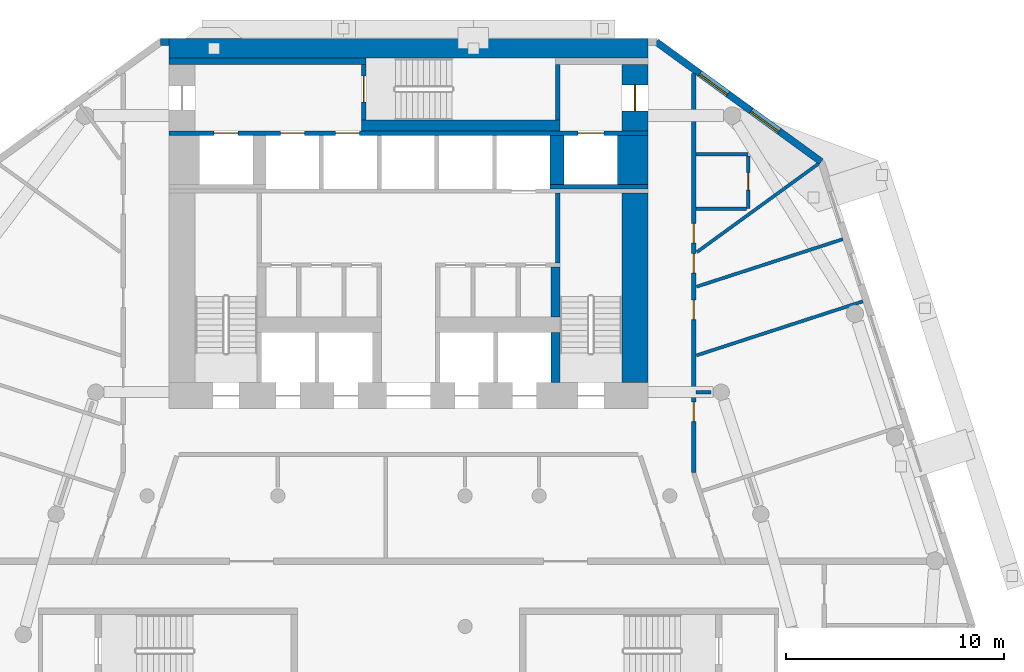
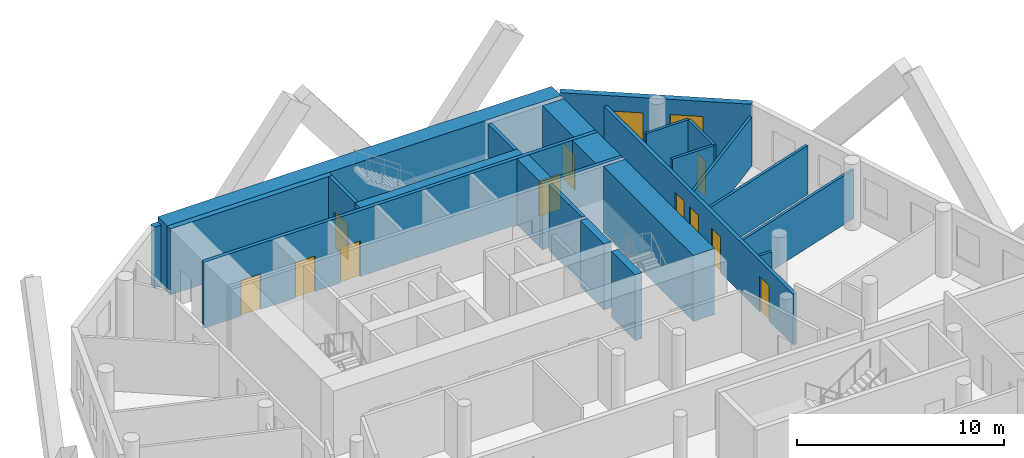
# One storey, part 7 of 10: 24 walls, 11 doors, 2 windows, 13 openings.
"""IFC4 building model written with IfcOpenShell, lengths in metres."""

from ifc_helpers import new_model, si_unit, direction, frame, frame_2d, origin, place, context, subcontext, project, spatial, rectangle, extrude, material, layer, layer_set, type_object, element, fill, save


model = new_model("IFC4")

# Units and contexts
model_context = context("Model", 3, precision=1e-05, world=origin(), true_north=direction((0.0, 1.0)))
body_context = subcontext(model_context, "Body", "Model", "MODEL_VIEW")
ifc_project = project(units=[si_unit("LENGTHUNIT", "METRE"), si_unit("AREAUNIT", "SQUARE_METRE"), si_unit("VOLUMEUNIT", "CUBIC_METRE"), si_unit("PLANEANGLEUNIT", "RADIAN"), si_unit("MASSUNIT", "GRAM", prefix="KILO")], contexts=[model_context])

# Site, building, storey
site_placement = place(None, origin())
site = spatial("IfcSite", under=ifc_project, at=site_placement, CompositionType="ELEMENT")
building_placement = place(site_placement, origin())
building = spatial("IfcBuilding", under=site, at=building_placement, Name="White Candle Pilgrim Tower", CompositionType="ELEMENT")
storey_placement = place(building_placement, frame((0.0, 0.0, 78.0)))
storey = spatial("IfcBuildingStorey", under=building, at=storey_placement, Name="L16", CompositionType="ELEMENT", Elevation=78.0)

# Wall, opening, door
ifc_material_1 = material(Name="Concrete C70/85", Category="concrete")
ifc_layer_1 = layer(ifc_material_1, 1.199951171875)
ifc_layer_set_1 = layer_set([ifc_layer_1], Name="Core wall 1200 mm Concrete C70/85")
wall_type_1 = type_object("IfcWallType", Name="Core wall 1200 mm Concrete C70/85", PredefinedType="SHEAR", material=ifc_layer_set_1)
wall_1_placement = place(storey_placement, frame((80.39990234375, 83.75, 0.0), z_axis=(0.0, 0.0, 1.0), x_axis=(0.0, 1.0, 0.0)))
wall_1 = element("IfcWall", 1, at=wall_1_placement, inside=storey, type_object=wall_type_1, Name="WL-L16-C48", PredefinedType="SHEAR", context=body_context, shape_type="SweptSolid", body=[
    extrude(rectangle(XDim=3.050048828125, YDim=1.199951171875, at=frame_2d((1.52490234375, 0.0))), origin(), (0.0, 0.0, 1.0), 3.89990234375),
])
opening_1_placement = place(wall_1_placement, frame((0.925048828125, 0.0, 0.0)))
opening_1 = element("IfcOpeningElement", 2, at=opening_1_placement, cuts=wall_1, Name="Opening T05-006", PredefinedType="OPENING", context=body_context, shape_type="SweptSolid", body=[
    extrude(rectangle(XDim=1.199951171875, YDim=2.10009765625, at=frame_2d((0.60009765625, 1.050048828125))), frame((0.0, 0.60986328125, 0.0), z_axis=(0.0, -1.0, 0.0), x_axis=(1.0, 0.0, 0.0)), (0.0, 0.0, 1.0), 1.219970703125),
])
ifc_material_2 = material(Name="Steel door leaf", Category="steel")
door_type_1 = type_object("IfcDoorType", Name="Fire door 1200 x 2100 EI 30", OperationType="NOTDEFINED", PredefinedType="DOOR", material=ifc_material_2)
door_1_placement = place(opening_1_placement, origin())
door_1 = element("IfcDoor", 3, at=door_1_placement, inside=storey, type_object=door_type_1, Name="Door T05-006", OperationType="SINGLE_SWING_RIGHT", OverallHeight=2.10009765625, OverallWidth=1.199951171875, PredefinedType="DOOR", context=body_context, shape_type="SweptSolid", body=[
    extrude(rectangle(XDim=1.199951171875, YDim=2.10009765625, at=frame_2d((0.60009765625, 1.050048828125))), frame((0.0, 0.02490234375, 0.0), z_axis=(0.0, -1.0, 0.0), x_axis=(1.0, 0.0, 0.0)), (0.0, 0.0, 1.0), 0.050048828125),
])
fill(opening_1, door_1)

# Walls
ifc_layer_2 = layer(ifc_material_1, 1.39990234375)
ifc_layer_set_2 = layer_set([ifc_layer_2], Name="Core wall 1400 mm Concrete C70/85")
wall_type_2 = type_object("IfcWallType", Name="Core wall 1400 mm Concrete C70/85", PredefinedType="SHEAR", material=ifc_layer_set_2)
wall_2_placement = place(storey_placement, frame((80.300048828125, 81.300048828125, 0.0), z_axis=(0.0, 0.0, 1.0), x_axis=(0.0, 1.0, 0.0)))
element("IfcWall", 4, at=wall_2_placement, inside=storey, type_object=wall_type_2, Name="WL-L16-C44", PredefinedType="SHEAR", context=body_context, shape_type="SweptSolid", body=[
    extrude(rectangle(XDim=2.25, YDim=1.39990234375, at=frame_2d((1.125, 0.0))), origin(), (0.0, 0.0, 1.0), 3.89990234375),
])
ifc_layer_3 = layer(ifc_material_1, 0.199951171875)
ifc_layer_set_3 = layer_set([ifc_layer_3], Name="Core wall 200 mm Concrete C70/85")
wall_type_3 = type_object("IfcWallType", Name="Core wall 200 mm Concrete C70/85", PredefinedType="SHEAR", material=ifc_layer_set_3)
wall_3_placement = place(storey_placement, frame((76.5, 81.199951171875, 0.0), z_axis=(0.0, 0.0, 1.0), x_axis=(1.0, 0.0, 0.0)))
element("IfcWall", 5, at=wall_3_placement, inside=storey, type_object=wall_type_3, Name="WL-L16-C40", PredefinedType="SHEAR", context=body_context, shape_type="SweptSolid", body=[
    extrude(rectangle(XDim=4.5, YDim=0.199951171875, at=frame_2d((2.25, 0.0))), origin(), (0.0, 0.0, 1.0), 3.89990234375),
])

# Wall, openings, doors
wall_4_placement = place(storey_placement, frame((59.0, 83.64990234375, 0.0), z_axis=(0.0, 0.0, 1.0), x_axis=(1.0, 0.0, 0.0)))
wall_4 = element("IfcWall", 6, at=wall_4_placement, inside=storey, type_object=wall_type_3, Name="WL-L16-C45", PredefinedType="SHEAR", context=body_context, shape_type="SweptSolid", body=[
    extrude(rectangle(XDim=22.0, YDim=0.199951171875, at=frame_2d((11.0, 0.0))), origin(), (0.0, 0.0, 1.0), 3.89990234375),
])
opening_2_placement = place(wall_4_placement, frame((5.125, 0.0, 0.0)))
opening_2 = element("IfcOpeningElement", 7, at=opening_2_placement, cuts=wall_4, Name="Opening T05-011", PredefinedType="OPENING", context=body_context, shape_type="SweptSolid", body=[
    extrude(rectangle(XDim=1.10009765625, YDim=2.10009765625, at=frame_2d((0.550048828125, 1.050048828125))), frame((0.0, 0.10986328125, 0.0), z_axis=(0.0, -1.0, 0.0), x_axis=(1.0, 0.0, 0.0)), (0.0, 0.0, 1.0), 0.219970703125),
])
opening_3_placement = place(wall_4_placement, frame((7.64990234375, 0.0, 0.0)))
opening_3 = element("IfcOpeningElement", 8, at=opening_3_placement, cuts=wall_4, Name="Opening T05-012", PredefinedType="OPENING", context=body_context, shape_type="SweptSolid", body=[
    extrude(rectangle(XDim=1.10009765625, YDim=2.10009765625, at=frame_2d((0.550048828125, 1.050048828125))), frame((0.0, 0.10986328125, 0.0), z_axis=(0.0, -1.0, 0.0), x_axis=(1.0, 0.0, 0.0)), (0.0, 0.0, 1.0), 0.219970703125),
])
opening_4_placement = place(wall_4_placement, frame((18.77490234375, 0.0, 0.0)))
opening_4 = element("IfcOpeningElement", 9, at=opening_4_placement, cuts=wall_4, Name="Opening T05-018", PredefinedType="OPENING", context=body_context, shape_type="SweptSolid", body=[
    extrude(rectangle(XDim=1.199951171875, YDim=2.10009765625, at=frame_2d((0.60009765625, 1.050048828125))), frame((0.0, 0.10986328125, 0.0), z_axis=(0.0, -1.0, 0.0), x_axis=(1.0, 0.0, 0.0)), (0.0, 0.0, 1.0), 0.219970703125),
])
opening_5_placement = place(wall_4_placement, frame((2.074951171875, 0.0, 0.0)))
opening_5 = element("IfcOpeningElement", 10, at=opening_5_placement, cuts=wall_4, Name="Opening T05-019", PredefinedType="OPENING", context=body_context, shape_type="SweptSolid", body=[
    extrude(rectangle(XDim=1.10009765625, YDim=2.10009765625, at=frame_2d((0.550048828125, 1.050048828125))), frame((0.0, 0.10986328125, 0.0), z_axis=(0.0, -1.0, 0.0), x_axis=(1.0, 0.0, 0.0)), (0.0, 0.0, 1.0), 0.219970703125),
])
ifc_material_3 = material(Name="Stainless steel", Category="steel")
door_type_2 = type_object("IfcDoorType", Name="Lift landing door 1100 x 2100 EI 60", OperationType="DOUBLE_DOOR_SLIDING", PredefinedType="DOOR", material=ifc_material_3)
door_2_placement = place(opening_2_placement, origin())
door_2 = element("IfcDoor", 11, at=door_2_placement, inside=storey, type_object=door_type_2, Name="Door T05-011", OperationType="DOUBLE_DOOR_SLIDING", OverallHeight=2.10009765625, OverallWidth=1.10009765625, PredefinedType="DOOR", context=body_context, shape_type="SweptSolid", body=[
    extrude(rectangle(XDim=1.10009765625, YDim=2.10009765625, at=frame_2d((0.550048828125, 1.050048828125))), frame((0.0, 0.02490234375, 0.0), z_axis=(0.0, -1.0, 0.0), x_axis=(1.0, 0.0, 0.0)), (0.0, 0.0, 1.0), 0.050048828125),
])
fill(opening_2, door_2)
door_3_placement = place(opening_3_placement, origin())
door_3 = element("IfcDoor", 12, at=door_3_placement, inside=storey, type_object=door_type_2, Name="Door T05-012", OperationType="DOUBLE_DOOR_SLIDING", OverallHeight=2.10009765625, OverallWidth=1.10009765625, PredefinedType="DOOR", context=body_context, shape_type="SweptSolid", body=[
    extrude(rectangle(XDim=1.10009765625, YDim=2.10009765625, at=frame_2d((0.550048828125, 1.050048828125))), frame((0.0, 0.02490234375, 0.0), z_axis=(0.0, -1.0, 0.0), x_axis=(1.0, 0.0, 0.0)), (0.0, 0.0, 1.0), 0.050048828125),
])
fill(opening_3, door_3)
door_4_placement = place(opening_5_placement, origin())
door_4 = element("IfcDoor", 13, at=door_4_placement, inside=storey, type_object=door_type_2, Name="Door T05-019", OperationType="DOUBLE_DOOR_SLIDING", OverallHeight=2.10009765625, OverallWidth=1.10009765625, PredefinedType="DOOR", context=body_context, shape_type="SweptSolid", body=[
    extrude(rectangle(XDim=1.10009765625, YDim=2.10009765625, at=frame_2d((0.550048828125, 1.050048828125))), frame((0.0, 0.02490234375, 0.0), z_axis=(0.0, -1.0, 0.0), x_axis=(1.0, 0.0, 0.0)), (0.0, 0.0, 1.0), 0.050048828125),
])
fill(opening_5, door_4)
door_type_3 = type_object("IfcDoorType", Name="Lift landing door 1200 x 2100 E 60", OperationType="DOUBLE_DOOR_SLIDING", PredefinedType="DOOR", material=ifc_material_3)
door_5_placement = place(opening_4_placement, origin())
door_5 = element("IfcDoor", 14, at=door_5_placement, inside=storey, type_object=door_type_3, Name="Door T05-018", OperationType="DOUBLE_DOOR_SLIDING", OverallHeight=2.10009765625, OverallWidth=1.199951171875, PredefinedType="DOOR", context=body_context, shape_type="SweptSolid", body=[
    extrude(rectangle(XDim=1.199951171875, YDim=2.10009765625, at=frame_2d((0.60009765625, 1.050048828125))), frame((0.0, 0.02490234375, 0.0), z_axis=(0.0, -1.0, 0.0), x_axis=(1.0, 0.0, 0.0)), (0.0, 0.0, 1.0), 0.050048828125),
])
fill(opening_4, door_5)

ifc_material_4 = material(Name="Gypsum board on steel studs", Category="steel")
ifc_layer_4 = layer(ifc_material_4, 0.199951171875)
ifc_layer_set_4 = layer_set([ifc_layer_4], Name="Corridor wall 200 mm EI 45")
wall_type_4 = type_object("IfcWallType", Name="Corridor wall 200 mm EI 45", PredefinedType="PARTITIONING", material=ifc_layer_set_4)
wall_5_placement = place(storey_placement, frame((83.10009765625, 86.396240234375, 0.0), z_axis=(0.0, 0.0, 1.0), x_axis=(0.0, -1.0, 0.0)))
wall_5 = element("IfcWall", 15, at=wall_5_placement, inside=storey, type_object=wall_type_4, Name="WL-L16-P004", PredefinedType="PARTITIONING", context=body_context, shape_type="SweptSolid", body=[
    extrude(rectangle(XDim=18.3193359375, YDim=0.199951171875, at=frame_2d((9.15966796875, 0.0))), origin(), (0.0, 0.0, 1.0), 3.0),
])
opening_6_placement = place(wall_5_placement, frame((6.8818359375, 0.0, 0.0)))
opening_6 = element("IfcOpeningElement", 16, at=opening_6_placement, cuts=wall_5, Name="Opening T05-124", PredefinedType="OPENING", context=body_context, shape_type="SweptSolid", body=[
    extrude(rectangle(XDim=0.89990234375, YDim=2.10009765625, at=frame_2d((0.449951171875, 1.050048828125))), frame((0.0, 0.10986328125, 0.0), z_axis=(0.0, -1.0, 0.0), x_axis=(1.0, 0.0, 0.0)), (0.0, 0.0, 1.0), 0.219970703125),
])
opening_7_placement = place(wall_5_placement, frame((8.273193359375, 0.0, 0.0)))
opening_7 = element("IfcOpeningElement", 17, at=opening_7_placement, cuts=wall_5, Name="Opening T05-125", PredefinedType="OPENING", context=body_context, shape_type="SweptSolid", body=[
    extrude(rectangle(XDim=0.89990234375, YDim=2.10009765625, at=frame_2d((0.449951171875, 1.050048828125))), frame((0.0, 0.10986328125, 0.0), z_axis=(0.0, -1.0, 0.0), x_axis=(1.0, 0.0, 0.0)), (0.0, 0.0, 1.0), 0.219970703125),
])
opening_8_placement = place(wall_5_placement, frame((10.408935546875, 0.0, 0.0)))
opening_8 = element("IfcOpeningElement", 18, at=opening_8_placement, cuts=wall_5, Name="Opening T05-126", PredefinedType="OPENING", context=body_context, shape_type="SweptSolid", body=[
    extrude(rectangle(XDim=0.89990234375, YDim=2.10009765625, at=frame_2d((0.449951171875, 1.050048828125))), frame((0.0, 0.10986328125, 0.0), z_axis=(0.0, -1.0, 0.0), x_axis=(1.0, 0.0, 0.0)), (0.0, 0.0, 1.0), 0.219970703125),
])
opening_9_placement = place(wall_5_placement, frame((15.08837890625, 0.0, 0.0)))
opening_9 = element("IfcOpeningElement", 19, at=opening_9_placement, cuts=wall_5, Name="Opening T05-127", PredefinedType="OPENING", context=body_context, shape_type="SweptSolid", body=[
    extrude(rectangle(XDim=0.89990234375, YDim=2.10009765625, at=frame_2d((0.449951171875, 1.050048828125))), frame((0.0, 0.10986328125, 0.0), z_axis=(0.0, -1.0, 0.0), x_axis=(1.0, 0.0, 0.0)), (0.0, 0.0, 1.0), 0.219970703125),
])
door_type_4 = type_object("IfcDoorType", Name="Fire door 900 x 2100 EI 30", OperationType="NOTDEFINED", PredefinedType="DOOR", material=ifc_material_2)
door_6_placement = place(opening_6_placement, origin())
door_6 = element("IfcDoor", 20, at=door_6_placement, inside=storey, type_object=door_type_4, Name="Door T05-124", OperationType="SINGLE_SWING_RIGHT", OverallHeight=2.10009765625, OverallWidth=0.89990234375, PredefinedType="DOOR", context=body_context, shape_type="SweptSolid", body=[
    extrude(rectangle(XDim=0.89990234375, YDim=2.10009765625, at=frame_2d((0.449951171875, 1.050048828125))), frame((0.0, 0.02490234375, 0.0), z_axis=(0.0, -1.0, 0.0), x_axis=(1.0, 0.0, 0.0)), (0.0, 0.0, 1.0), 0.050048828125),
])
fill(opening_6, door_6)
door_7_placement = place(opening_7_placement, origin())
door_7 = element("IfcDoor", 21, at=door_7_placement, inside=storey, type_object=door_type_4, Name="Door T05-125", OperationType="SINGLE_SWING_LEFT", OverallHeight=2.10009765625, OverallWidth=0.89990234375, PredefinedType="DOOR", context=body_context, shape_type="SweptSolid", body=[
    extrude(rectangle(XDim=0.89990234375, YDim=2.10009765625, at=frame_2d((0.449951171875, 1.050048828125))), frame((0.0, 0.02490234375, 0.0), z_axis=(0.0, -1.0, 0.0), x_axis=(1.0, 0.0, 0.0)), (0.0, 0.0, 1.0), 0.050048828125),
])
fill(opening_7, door_7)
door_8_placement = place(opening_8_placement, origin())
door_8 = element("IfcDoor", 22, at=door_8_placement, inside=storey, type_object=door_type_4, Name="Door T05-126", OperationType="SINGLE_SWING_RIGHT", OverallHeight=2.10009765625, OverallWidth=0.89990234375, PredefinedType="DOOR", context=body_context, shape_type="SweptSolid", body=[
    extrude(rectangle(XDim=0.89990234375, YDim=2.10009765625, at=frame_2d((0.449951171875, 1.050048828125))), frame((0.0, 0.02490234375, 0.0), z_axis=(0.0, -1.0, 0.0), x_axis=(1.0, 0.0, 0.0)), (0.0, 0.0, 1.0), 0.050048828125),
])
fill(opening_8, door_8)
door_9_placement = place(opening_9_placement, origin())
door_9 = element("IfcDoor", 23, at=door_9_placement, inside=storey, type_object=door_type_4, Name="Door T05-127", OperationType="SINGLE_SWING_LEFT", OverallHeight=2.10009765625, OverallWidth=0.89990234375, PredefinedType="DOOR", context=body_context, shape_type="SweptSolid", body=[
    extrude(rectangle(XDim=0.89990234375, YDim=2.10009765625, at=frame_2d((0.449951171875, 1.050048828125))), frame((0.0, 0.02490234375, 0.0), z_axis=(0.0, -1.0, 0.0), x_axis=(1.0, 0.0, 0.0)), (0.0, 0.0, 1.0), 0.050048828125),
])
fill(opening_9, door_9)

# Wall, openings, windows
ifc_material_5 = material(Name="Precast concrete C40/50", Category="concrete")
ifc_layer_5 = layer(ifc_material_5, 0.320068359375)
ifc_layer_set_5 = layer_set([ifc_layer_5], Name="Facade wall EW1 precast concrete C40/50 pier wall with timber-lined reveals")
wall_type_5 = type_object("IfcWallType", Name="Facade wall EW1 precast concrete C40/50 pier wall with timber-lined reveals", PredefinedType="SOLIDWALL", material=ifc_layer_set_5)
wall_6_placement = place(storey_placement, frame((88.95361328125, 82.341064453125, 0.0), z_axis=(0.0, 0.0, 1.0), x_axis=(-0.809011346894, 0.587793025304, 0.0)))
wall_6 = element("IfcWall", 24, at=wall_6_placement, inside=storey, type_object=wall_type_5, Name="Facade wall L16 NE chamfer", PredefinedType="SOLIDWALL", context=body_context, shape_type="SweptSolid", body=[
    extrude(rectangle(XDim=9.35546875, YDim=0.320068359375, at=frame_2d((4.677734375, 0.0))), origin(), (0.0, 0.0, 1.0), 3.60009765625),
])
opening_10_placement = place(wall_6_placement, frame((2.377685546875, 0.0, 0.89990234375)))
opening_10 = element("IfcOpeningElement", 25, at=opening_10_placement, cuts=wall_6, Name="Opening W2", PredefinedType="OPENING", context=body_context, shape_type="SweptSolid", body=[
    extrude(rectangle(XDim=1.60009765625, YDim=1.800048828125, at=frame_2d((0.800048828125, 0.89990234375))), frame((0.0, 0.169921875, 0.0), z_axis=(0.0, -1.0, 0.0), x_axis=(1.0, 0.0, 0.0)), (0.0, 0.0, 1.0), 0.340087890625),
])
opening_11_placement = place(wall_6_placement, frame((5.295654296875, 0.0, 0.89990234375)))
opening_11 = element("IfcOpeningElement", 26, at=opening_11_placement, cuts=wall_6, Name="Opening W2", PredefinedType="OPENING", context=body_context, shape_type="SweptSolid", body=[
    extrude(rectangle(XDim=1.60009765625, YDim=1.800048828125, at=frame_2d((0.800048828125, 0.89990234375))), frame((0.0, 0.169921875, 0.0), z_axis=(0.0, -1.0, 0.0), x_axis=(1.0, 0.0, 0.0)), (0.0, 0.0, 1.0), 0.340087890625),
])
ifc_material_6 = material(Name="Timber frame with triple glazing", Category="wood")
window_type = type_object("IfcWindowType", Name="Window W2 1600x1800 timber frame triple glazing", PartitioningType="SINGLE_PANEL", PredefinedType="WINDOW", material=ifc_material_6)
window_1_placement = place(opening_10_placement, origin())
window_1 = element("IfcWindow", 27, at=window_1_placement, inside=storey, type_object=window_type, Name="Window W2 L16 NE chamfer 1", OverallHeight=1.800048828125, OverallWidth=1.60009765625, PartitioningType="SINGLE_PANEL", PredefinedType="WINDOW", context=body_context, shape_type="SweptSolid", body=[
    extrude(rectangle(XDim=1.60009765625, YDim=1.800048828125, at=frame_2d((0.800048828125, 0.89990234375))), frame((0.0, 0.070068359375, 0.0), z_axis=(0.0, -1.0, 0.0), x_axis=(1.0, 0.0, 0.0)), (0.0, 0.0, 1.0), 0.06005859375),
])
fill(opening_10, window_1)
window_2_placement = place(opening_11_placement, origin())
window_2 = element("IfcWindow", 28, at=window_2_placement, inside=storey, type_object=window_type, Name="Window W2 L16 NE chamfer 2", OverallHeight=1.800048828125, OverallWidth=1.60009765625, PartitioningType="SINGLE_PANEL", PredefinedType="WINDOW", context=body_context, shape_type="SweptSolid", body=[
    extrude(rectangle(XDim=1.60009765625, YDim=1.800048828125, at=frame_2d((0.800048828125, 0.89990234375))), frame((0.0, 0.070068359375, 0.0), z_axis=(0.0, -1.0, 0.0), x_axis=(1.0, 0.0, 0.0)), (0.0, 0.0, 1.0), 0.06005859375),
])
fill(opening_11, window_2)

# Walls
wall_7_placement = place(storey_placement, frame((59.0, 87.840087890625, 0.0), z_axis=(0.0, 0.0, 1.0), x_axis=(-1.0, 0.0, 0.0)))
element("IfcWall", 29, at=wall_7_placement, inside=storey, type_object=wall_type_5, Name="Facade wall L16 N", PredefinedType="SOLIDWALL", context=body_context, shape_type="SweptSolid", body=[
    extrude(rectangle(XDim=0.385009765625, YDim=0.320068359375, at=frame_2d((0.1923828125, 0.0))), origin(), (0.0, 0.0, 1.0), 3.60009765625),
])
ifc_layer_6 = layer(ifc_material_4, 0.14990234375)
ifc_layer_set_6 = layer_set([ifc_layer_6], Name="Partition 150 mm EI 60")
wall_type_6 = type_object("IfcWallType", Name="Partition 150 mm EI 60", PredefinedType="PARTITIONING", material=ifc_layer_set_6)
wall_8_placement = place(storey_placement, frame((88.817626953125, 82.2421875, 0.0), z_axis=(0.0, 0.0, 1.0), x_axis=(-0.809004176409, -0.587802894305, 0.0)))
element("IfcWall", 30, at=wall_8_placement, inside=storey, type_object=wall_type_6, Name="WL-L16-P023", PredefinedType="PARTITIONING", context=body_context, shape_type="SweptSolid", body=[
    extrude(rectangle(XDim=6.889404296875, YDim=0.14990234375, at=frame_2d((3.44482421875, 0.0))), origin(), (0.0, 0.0, 1.0), 2.89990234375),
])
wall_9_placement = place(storey_placement, frame((90.868408203125, 75.9306640625, 0.0), z_axis=(0.0, 0.0, 1.0), x_axis=(-0.951055269257, -0.309020832339, 0.0)))
element("IfcWall", 31, at=wall_9_placement, inside=storey, type_object=wall_type_6, Name="WL-L16-P038", PredefinedType="PARTITIONING", context=body_context, shape_type="SweptSolid", body=[
    extrude(rectangle(XDim=8.038818359375, YDim=0.14990234375, at=frame_2d((4.01953125, 0.0))), origin(), (0.0, 0.0, 1.0), 2.89990234375),
])
wall_10_placement = place(storey_placement, frame((89.94140625, 78.783935546875, 0.0), z_axis=(0.0, 0.0, 1.0), x_axis=(-0.95105794035, -0.309012611551, 0.0)))
element("IfcWall", 32, at=wall_10_placement, inside=storey, type_object=wall_type_6, Name="WL-L16-P039", PredefinedType="PARTITIONING", context=body_context, shape_type="SweptSolid", body=[
    extrude(rectangle(XDim=7.06396484375, YDim=0.14990234375, at=frame_2d((3.531982421875, 0.0))), origin(), (0.0, 0.0, 1.0), 2.89990234375),
])
wall_11_placement = place(storey_placement, frame((83.199951171875, 82.68798828125, 0.0), z_axis=(0.0, 0.0, 1.0), x_axis=(1.0, 0.0, 0.0)))
element("IfcWall", 33, at=wall_11_placement, inside=storey, type_object=wall_type_6, Name="WL-L16-P040", PredefinedType="PARTITIONING", context=body_context, shape_type="SweptSolid", body=[
    extrude(rectangle(XDim=2.400146484375, YDim=0.14990234375, at=frame_2d((1.2001953125, 0.0))), origin(), (0.0, 0.0, 1.0), 3.60009765625),
])

# Wall, opening, door
wall_12_placement = place(storey_placement, frame((85.60009765625, 80.18798828125, 0.0), z_axis=(0.0, 0.0, 1.0), x_axis=(0.0, 1.0, 0.0)))
wall_12 = element("IfcWall", 34, at=wall_12_placement, inside=storey, type_object=wall_type_6, Name="WL-L16-P041", PredefinedType="PARTITIONING", context=body_context, shape_type="SweptSolid", body=[
    extrude(rectangle(XDim=2.425048828125, YDim=0.14990234375, at=frame_2d((1.21240234375, 0.0))), origin(), (0.0, 0.0, 1.0), 3.60009765625),
])
opening_12_placement = place(wall_12_placement, frame((0.85009765625, 0.0, 0.0)))
opening_12 = element("IfcOpeningElement", 35, at=opening_12_placement, cuts=wall_12, Name="Opening T05-114", PredefinedType="OPENING", context=body_context, shape_type="SweptSolid", body=[
    extrude(rectangle(XDim=0.800048828125, YDim=2.10009765625, at=frame_2d((0.39990234375, 1.050048828125))), frame((0.0, 0.0849609375, 0.0), z_axis=(0.0, -1.0, 0.0), x_axis=(1.0, 0.0, 0.0)), (0.0, 0.0, 1.0), 0.169921875),
])
door_type_5 = type_object("IfcDoorType", Name="Fire door 800 x 2100 EI 30", OperationType="NOTDEFINED", PredefinedType="DOOR", material=ifc_material_2)
door_10_placement = place(opening_12_placement, frame((0.800048828125, 0.0, 0.0), z_axis=(0.0, 0.0, 1.0), x_axis=(-1.0, 0.0, 0.0)))
door_10 = element("IfcDoor", 36, at=door_10_placement, inside=storey, type_object=door_type_5, Name="Door T05-114", OperationType="SINGLE_SWING_LEFT", OverallHeight=2.10009765625, OverallWidth=0.800048828125, PredefinedType="DOOR", context=body_context, shape_type="SweptSolid", body=[
    extrude(rectangle(XDim=0.800048828125, YDim=2.10009765625, at=frame_2d((0.39990234375, 1.050048828125))), frame((0.0, 0.02490234375, 0.0), z_axis=(0.0, -1.0, 0.0), x_axis=(1.0, 0.0, 0.0)), (0.0, 0.0, 1.0), 0.050048828125),
])
fill(opening_12, door_10)

# Walls
wall_13_placement = place(storey_placement, frame((83.199951171875, 80.18798828125, 0.0), z_axis=(0.0, 0.0, 1.0), x_axis=(1.0, 0.0, 0.0)))
element("IfcWall", 37, at=wall_13_placement, inside=storey, type_object=wall_type_6, Name="WL-L16-P042", PredefinedType="PARTITIONING", context=body_context, shape_type="SweptSolid", body=[
    extrude(rectangle(XDim=2.324951171875, YDim=0.14990234375, at=frame_2d((1.16259765625, 0.0))), origin(), (0.0, 0.0, 1.0), 3.60009765625),
])
wall_14_placement = place(storey_placement, frame((83.89501953125, 71.7578125, 0.0), z_axis=(0.0, 0.0, 1.0), x_axis=(-1.0, 0.0, 0.0)))
element("IfcWall", 38, at=wall_14_placement, inside=storey, type_object=wall_type_6, Name="WL-L16-P049", PredefinedType="PARTITIONING", context=body_context, shape_type="SweptSolid", body=[
    extrude(rectangle(XDim=0.695068359375, YDim=0.14990234375, at=frame_2d((0.34765625, 0.0))), origin(), (0.0, 0.0, 1.0), 3.0),
])
ifc_layer_7 = layer(ifc_material_1, 0.64990234375)
ifc_layer_set_7 = layer_set([ifc_layer_7], Name="Shaft wall 650 mm Concrete C70/85")
wall_type_7 = type_object("IfcWallType", Name="Shaft wall 650 mm Concrete C70/85", PredefinedType="SHEAR", material=ifc_layer_set_7)
wall_15_placement = place(storey_placement, frame((76.824951171875, 81.300048828125, 0.0), z_axis=(0.0, 0.0, 1.0), x_axis=(0.0, 1.0, 0.0)))
element("IfcWall", 39, at=wall_15_placement, inside=storey, type_object=wall_type_7, Name="WL-L16-C43", PredefinedType="SHEAR", context=body_context, shape_type="SweptSolid", body=[
    extrude(rectangle(XDim=2.25, YDim=0.64990234375, at=frame_2d((1.125, 0.0))), origin(), (0.0, 0.0, 1.0), 3.89990234375),
])
ifc_layer_8 = layer(ifc_material_1, 1.199951171875)
ifc_layer_set_8 = layer_set([ifc_layer_8], Name="Stair shaft wall 1200 mm Concrete C70/85")
wall_type_8 = type_object("IfcWallType", Name="Stair shaft wall 1200 mm Concrete C70/85", PredefinedType="SHEAR", material=ifc_layer_set_8)
wall_16_placement = place(storey_placement, frame((80.39990234375, 72.199951171875, 0.0), z_axis=(0.0, 0.0, 1.0), x_axis=(0.0, 1.0, 0.0)))
element("IfcWall", 40, at=wall_16_placement, inside=storey, type_object=wall_type_8, Name="WL-L16-C19", PredefinedType="SHEAR", context=body_context, shape_type="SweptSolid", body=[
    extrude(rectangle(XDim=8.699951171875, YDim=1.199951171875, at=frame_2d((4.35009765625, 0.0))), origin(), (0.0, 0.0, 1.0), 3.89990234375),
])
ifc_layer_9 = layer(ifc_material_1, 0.199951171875)
ifc_layer_set_9 = layer_set([ifc_layer_9], Name="Stair shaft wall 200 mm Concrete C70/85")
wall_type_9 = type_object("IfcWallType", Name="Stair shaft wall 200 mm Concrete C70/85", PredefinedType="SHEAR", material=ifc_layer_set_9)
wall_17_placement = place(storey_placement, frame((76.85009765625, 77.699951171875, 0.0), z_axis=(0.0, 0.0, 1.0), x_axis=(0.0, 1.0, 0.0)))
element("IfcWall", 41, at=wall_17_placement, inside=storey, type_object=wall_type_9, Name="WL-L16-C33", PredefinedType="SHEAR", context=body_context, shape_type="SweptSolid", body=[
    extrude(rectangle(XDim=3.199951171875, YDim=0.199951171875, at=frame_2d((1.60009765625, 0.0))), origin(), (0.0, 0.0, 1.0), 3.89990234375),
])

# Wall, opening, door
wall_18_placement = place(storey_placement, frame((67.949951171875, 84.25, 0.0), z_axis=(0.0, 0.0, 1.0), x_axis=(0.0, 1.0, 0.0)))
wall_18 = element("IfcWall", 42, at=wall_18_placement, inside=storey, type_object=wall_type_9, Name="WL-L16-C49", PredefinedType="SHEAR", context=body_context, shape_type="SweptSolid", body=[
    extrude(rectangle(XDim=2.550048828125, YDim=0.199951171875, at=frame_2d((1.27490234375, 0.0))), origin(), (0.0, 0.0, 1.0), 3.89990234375),
])
opening_13_placement = place(wall_18_placement, frame((0.824951171875, 0.0, 0.0)))
opening_13 = element("IfcOpeningElement", 43, at=opening_13_placement, cuts=wall_18, Name="Opening T05-003", PredefinedType="OPENING", context=body_context, shape_type="SweptSolid", body=[
    extrude(rectangle(XDim=1.199951171875, YDim=2.10009765625, at=frame_2d((0.60009765625, 1.050048828125))), frame((0.0, 0.10986328125, 0.0), z_axis=(0.0, -1.0, 0.0), x_axis=(1.0, 0.0, 0.0)), (0.0, 0.0, 1.0), 0.219970703125),
])
door_type_6 = type_object("IfcDoorType", Name="Fire door 1200 x 2100 EI 60", OperationType="NOTDEFINED", PredefinedType="DOOR", material=ifc_material_2)
door_11_placement = place(opening_13_placement, frame((1.199951171875, 0.0, 0.0), z_axis=(0.0, 0.0, 1.0), x_axis=(-1.0, 0.0, 0.0)))
door_11 = element("IfcDoor", 44, at=door_11_placement, inside=storey, type_object=door_type_6, Name="Door T05-003", OperationType="SINGLE_SWING_RIGHT", OverallHeight=2.10009765625, OverallWidth=1.199951171875, PredefinedType="DOOR", context=body_context, shape_type="SweptSolid", body=[
    extrude(rectangle(XDim=1.199951171875, YDim=2.10009765625, at=frame_2d((0.60009765625, 1.050048828125))), frame((0.0, 0.02490234375, 0.0), z_axis=(0.0, -1.0, 0.0), x_axis=(1.0, 0.0, 0.0)), (0.0, 0.0, 1.0), 0.050048828125),
])
fill(opening_13, door_11)

# Walls
wall_19_placement = place(storey_placement, frame((76.85009765625, 84.25, 0.0), z_axis=(0.0, 0.0, 1.0), x_axis=(0.0, 1.0, 0.0)))
element("IfcWall", 45, at=wall_19_placement, inside=storey, type_object=wall_type_9, Name="WL-L16-C50", PredefinedType="SHEAR", context=body_context, shape_type="SweptSolid", body=[
    extrude(rectangle(XDim=2.550048828125, YDim=0.199951171875, at=frame_2d((1.27490234375, 0.0))), origin(), (0.0, 0.0, 1.0), 3.89990234375),
])
ifc_layer_10 = layer(ifc_material_1, 0.300048828125)
ifc_layer_set_10 = layer_set([ifc_layer_10], Name="Stair shaft wall 300 mm Concrete C70/85")
wall_type_10 = type_object("IfcWallType", Name="Stair shaft wall 300 mm Concrete C70/85", PredefinedType="SHEAR", material=ifc_layer_set_10)
wall_20_placement = place(storey_placement, frame((59.0, 86.949951171875, 0.0), z_axis=(0.0, 0.0, 1.0), x_axis=(1.0, 0.0, 0.0)))
element("IfcWall", 46, at=wall_20_placement, inside=storey, type_object=wall_type_10, Name="WL-L16-C51", PredefinedType="SHEAR", context=body_context, shape_type="SweptSolid", body=[
    extrude(rectangle(XDim=9.050048828125, YDim=0.300048828125, at=frame_2d((4.52490234375, 0.0))), origin(), (0.0, 0.0, 1.0), 3.89990234375),
])
ifc_layer_11 = layer(ifc_material_1, 0.39990234375)
ifc_layer_set_11 = layer_set([ifc_layer_11], Name="Stair shaft wall 400 mm Concrete C70/85")
wall_type_11 = type_object("IfcWallType", Name="Stair shaft wall 400 mm Concrete C70/85", PredefinedType="SHEAR", material=ifc_layer_set_11)
for number, where, z_axis, x_axis, name in (
    (47, (76.75, 72.199951171875, 0.0), (0.0, 0.0, 1.0), (0.0, 1.0, 0.0), "WL-L16-C18"),
    (48, (76.75, 75.199951171875, 0.0), (0.0, 0.0, 1.0), (0.0, 1.0, 0.0), "WL-L16-C29"),
):
    element("IfcWall", number, at=place(storey_placement, frame(where, z_axis=z_axis, x_axis=x_axis)), inside=storey, type_object=wall_type_11, Name=name, PredefinedType="SHEAR", context=body_context, shape_type="SweptSolid", body=[
        extrude(rectangle(XDim=2.300048828125, YDim=0.39990234375, at=frame_2d((1.14990234375, 0.0))), origin(), (0.0, 0.0, 1.0), 3.89990234375),
    ])
ifc_layer_12 = layer(ifc_material_1, 0.5)
ifc_layer_set_12 = layer_set([ifc_layer_12], Name="Stair shaft wall 500 mm Concrete C70/85")
wall_type_12 = type_object("IfcWallType", Name="Stair shaft wall 500 mm Concrete C70/85", PredefinedType="SHEAR", material=ifc_layer_set_12)
wall_21_placement = place(storey_placement, frame((67.85009765625, 84.0, 0.0), z_axis=(0.0, 0.0, 1.0), x_axis=(1.0, 0.0, 0.0)))
element("IfcWall", 49, at=wall_21_placement, inside=storey, type_object=wall_type_12, Name="WL-L16-C47", PredefinedType="SHEAR", context=body_context, shape_type="SweptSolid", body=[
    extrude(rectangle(XDim=9.099853515625, YDim=0.5, at=frame_2d((4.5498046875, 0.0))), origin(), (0.0, 0.0, 1.0), 3.89990234375),
])
ifc_layer_13 = layer(ifc_material_1, 0.89990234375)
ifc_layer_set_13 = layer_set([ifc_layer_13], Name="Stair shaft wall 900 mm Concrete C70/85")
wall_type_13 = type_object("IfcWallType", Name="Stair shaft wall 900 mm Concrete C70/85", PredefinedType="SHEAR", material=ifc_layer_set_13)
wall_22_placement = place(storey_placement, frame((59.0, 87.550048828125, 0.0), z_axis=(0.0, 0.0, 1.0), x_axis=(1.0, 0.0, 0.0)))
element("IfcWall", 50, at=wall_22_placement, inside=storey, type_object=wall_type_13, Name="WL-L16-C53", PredefinedType="SHEAR", context=body_context, shape_type="SweptSolid", body=[
    extrude(rectangle(XDim=22.0, YDim=0.89990234375, at=frame_2d((11.0, 0.0))), origin(), (0.0, 0.0, 1.0), 3.89990234375),
])

save(model, "model.ifc")
